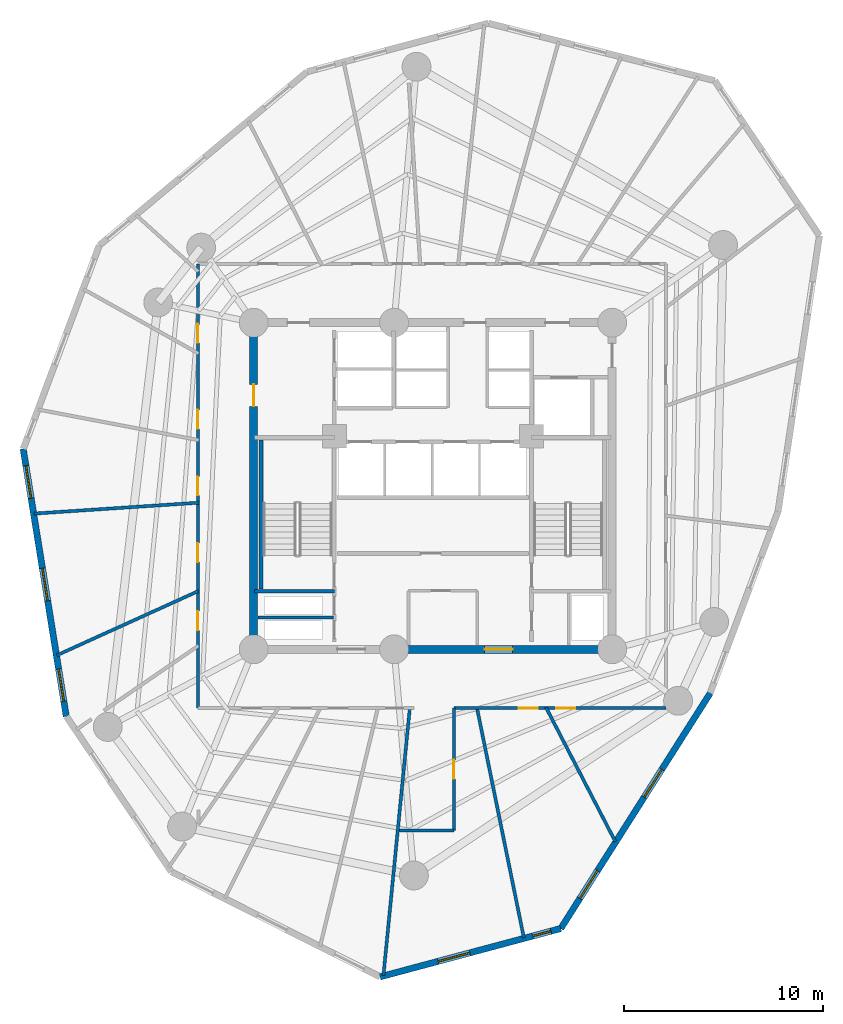
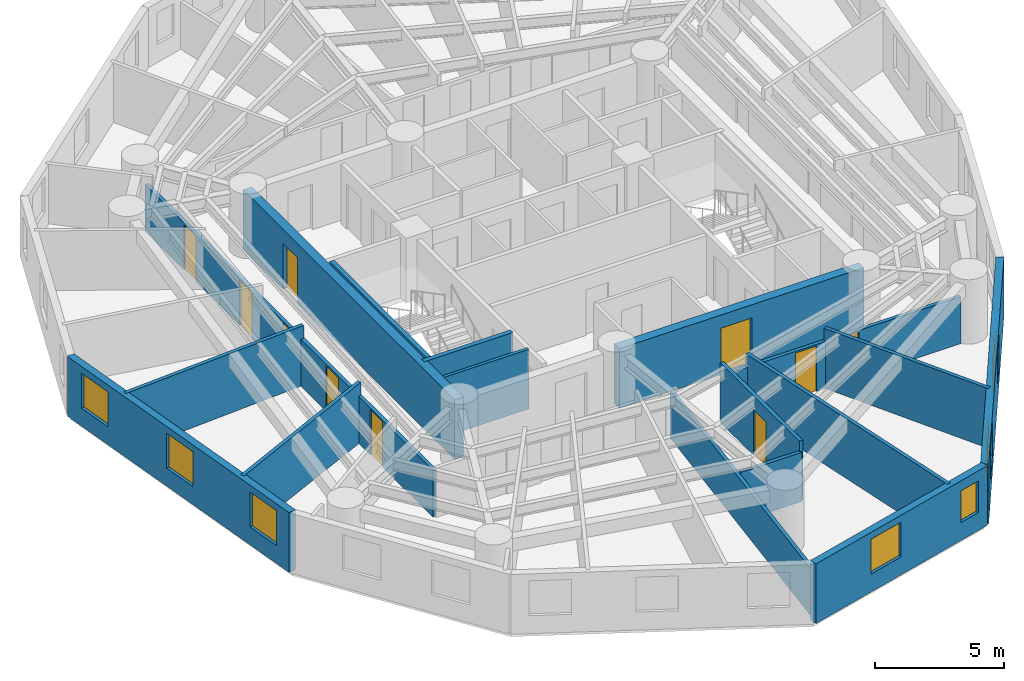
# One storey, part 3 of 7: 17 walls, 10 doors, 7 windows, 17 openings.
"""IFC4 building model written with IfcOpenShell, lengths in metres."""

from ifc_helpers import new_model, si_unit, direction, frame, frame_2d, origin, origin_with_axes, place, context, subcontext, project, spatial, rectangle, extrude, source, transform, mapped, material, layer, layer_set, type_object, element, fill, save


model = new_model("IFC4")

# Units and contexts
model_context = context("Model", 3, precision=1e-05, world=origin(), true_north=direction((0.0, 1.0)))
body_context = subcontext(model_context, "Body", "Model", "MODEL_VIEW")
ifc_project = project(units=[si_unit("LENGTHUNIT", "METRE"), si_unit("AREAUNIT", "SQUARE_METRE"), si_unit("VOLUMEUNIT", "CUBIC_METRE"), si_unit("PLANEANGLEUNIT", "RADIAN"), si_unit("MASSUNIT", "GRAM", prefix="KILO")], contexts=[model_context])

# Site, building, storey
site_placement = place(None, origin())
site = spatial("IfcSite", under=ifc_project, at=site_placement, CompositionType="ELEMENT")
building_placement = place(site_placement, origin())
building = spatial("IfcBuilding", under=site, at=building_placement, Name="Karkom Vertical University and Central Library", CompositionType="ELEMENT")
storey_placement = place(building_placement, frame((0.0, 0.0, 135.85009765625)))
storey = spatial("IfcBuildingStorey", under=building, at=storey_placement, Name="L38", CompositionType="ELEMENT", Elevation=135.85009765625)

# Wall, openings, windows
ifc_material_1 = material(Name="Brick-faced precast concrete C45/55", Category="masonry")
ifc_layer_1 = layer(ifc_material_1, 0.320068359375)
ifc_layer_set_1 = layer_set([ifc_layer_1], Name="Brick-faced precast concrete C45/55")
wall_type_1 = type_object("IfcWallType", Name="ENV-WL-BRK-320", PredefinedType="SOLIDWALL", material=ifc_layer_set_1)
wall_1_placement = place(storey_placement, frame((7.924072265625, 28.36572265625, 0.0), z_axis=(0.0, 0.0, 1.0), x_axis=(0.159012496048, -0.987276570218, 0.0)))
wall_1 = element("IfcWall", 1, at=wall_1_placement, inside=storey, type_object=wall_type_1, Name="Level 38 Brick-Faced Precast Facade Wall 02", PredefinedType="SOLIDWALL", context=body_context, shape_type="SweptSolid", body=[
    extrude(rectangle(XDim=13.61083984375, YDim=0.320068359375, at=frame_2d((6.805419921875, 0.0))), origin(), (0.0, 0.0, 1.0), 2.824951171875),
])
opening_1_placement = place(wall_1_placement, frame((0.855712890625, 0.0, 0.85009765625)))
opening_1 = element("IfcOpeningElement", 2, at=opening_1_placement, cuts=wall_1, Name="Opening WN-06", PredefinedType="OPENING", context=body_context, shape_type="SweptSolid", body=[
    extrude(rectangle(XDim=1.64990234375, YDim=1.64990234375, at=frame_2d((0.824951171875, 0.824951171875))), frame((0.0, 0.169921875, 0.0), z_axis=(0.0, -1.0, 0.0), x_axis=(1.0, 0.0, 0.0)), (0.0, 0.0, 1.0), 0.340087890625),
])
opening_2_placement = place(wall_1_placement, frame((6.071533203125, 0.0, 0.85009765625)))
opening_2 = element("IfcOpeningElement", 3, at=opening_2_placement, cuts=wall_1, Name="Opening WN-06", PredefinedType="OPENING", context=body_context, shape_type="SweptSolid", body=[
    extrude(rectangle(XDim=1.64990234375, YDim=1.64990234375, at=frame_2d((0.824951171875, 0.824951171875))), frame((0.0, 0.169921875, 0.0), z_axis=(0.0, -1.0, 0.0), x_axis=(1.0, 0.0, 0.0)), (0.0, 0.0, 1.0), 0.340087890625),
])
opening_3_placement = place(wall_1_placement, frame((11.1962890625, 0.0, 0.85009765625)))
opening_3 = element("IfcOpeningElement", 4, at=opening_3_placement, cuts=wall_1, Name="Opening WN-06", PredefinedType="OPENING", context=body_context, shape_type="SweptSolid", body=[
    extrude(rectangle(XDim=1.64990234375, YDim=1.64990234375, at=frame_2d((0.824951171875, 0.824951171875))), frame((0.0, 0.169921875, 0.0), z_axis=(0.0, -1.0, 0.0), x_axis=(1.0, 0.0, 0.0)), (0.0, 0.0, 1.0), 0.340087890625),
])
ifc_material_2 = material(Name="Aluminium thermal-break frame with solar-control IGU", Category="aluminium")
window_type_1 = type_object("IfcWindowType", Name="ENV-WIN-WN-06", PartitioningType="SINGLE_PANEL", PredefinedType="WINDOW", material=ifc_material_2)
shared_shape_1 = source(origin_with_axes(), body_context, "Body", "SweptSolid", [
    extrude(rectangle(XDim=1.64990234375, YDim=1.64990234375, at=frame_2d((0.824951171875, 0.824951171875))), frame((0.0, 0.030029296875, 0.0), z_axis=(0.0, -1.0, 0.0), x_axis=(1.0, 0.0, 0.0)), (0.0, 0.0, 1.0), 0.06005859375),
])
window_1_placement = place(opening_1_placement, origin())
window_1 = element("IfcWindow", 5, at=window_1_placement, inside=storey, type_object=window_type_1, Name="Level 38 Punched Window 2.1", OverallHeight=1.64990234375, OverallWidth=1.64990234375, PartitioningType="SINGLE_PANEL", PredefinedType="WINDOW", context=body_context, shape_type="MappedRepresentation", body=[
    mapped(shared_shape_1, transform((0.0, 0.0, 0.0), scale=1.0)),
])
fill(opening_1, window_1)
window_2_placement = place(opening_2_placement, origin())
window_2 = element("IfcWindow", 6, at=window_2_placement, inside=storey, type_object=window_type_1, Name="Level 38 Punched Window 2.2", OverallHeight=1.64990234375, OverallWidth=1.64990234375, PartitioningType="SINGLE_PANEL", PredefinedType="WINDOW", context=body_context, shape_type="MappedRepresentation", body=[
    mapped(shared_shape_1, transform((0.0, 0.0, 0.0), scale=1.0)),
])
fill(opening_2, window_2)
window_3_placement = place(opening_3_placement, origin())
window_3 = element("IfcWindow", 7, at=window_3_placement, inside=storey, type_object=window_type_1, Name="Level 38 Punched Window 2.3", OverallHeight=1.64990234375, OverallWidth=1.64990234375, PartitioningType="SINGLE_PANEL", PredefinedType="WINDOW", context=body_context, shape_type="MappedRepresentation", body=[
    mapped(shared_shape_1, transform((0.0, 0.0, 0.0), scale=1.0)),
])
fill(opening_3, window_3)

wall_2_placement = place(storey_placement, frame((25.845703125, 1.85009765625, 0.0), z_axis=(0.0, 0.0, 1.0), x_axis=(0.965995584308, 0.258558564154, 0.0)))
wall_2 = element("IfcWall", 8, at=wall_2_placement, inside=storey, type_object=wall_type_1, Name="Level 38 Brick-Faced Precast Facade Wall 05", PredefinedType="SOLIDWALL", context=body_context, shape_type="SweptSolid", body=[
    extrude(rectangle(XDim=9.395263671875, YDim=0.320068359375, at=frame_2d((4.69775390625, 0.0))), origin(), (0.0, 0.0, 1.0), 2.824951171875),
])
opening_4_placement = place(wall_2_placement, frame((3.0146484375, 0.0, 0.85009765625)))
opening_4 = element("IfcOpeningElement", 9, at=opening_4_placement, cuts=wall_2, Name="Opening WN-06", PredefinedType="OPENING", context=body_context, shape_type="SweptSolid", body=[
    extrude(rectangle(XDim=1.64990234375, YDim=1.64990234375, at=frame_2d((0.824951171875, 0.824951171875))), frame((0.0, 0.169921875, 0.0), z_axis=(0.0, -1.0, 0.0), x_axis=(1.0, 0.0, 0.0)), (0.0, 0.0, 1.0), 0.340087890625),
])
opening_5_placement = place(wall_2_placement, frame((7.9345703125, 0.0, 0.85009765625)))
opening_5 = element("IfcOpeningElement", 10, at=opening_5_placement, cuts=wall_2, Name="Opening WN-12", PredefinedType="OPENING", context=body_context, shape_type="SweptSolid", body=[
    extrude(rectangle(XDim=0.949951171875, YDim=1.5, at=frame_2d((0.47509765625, 0.75))), frame((0.0, 0.169921875, 0.0), z_axis=(0.0, -1.0, 0.0), x_axis=(1.0, 0.0, 0.0)), (0.0, 0.0, 1.0), 0.340087890625),
])
window_4_placement = place(opening_4_placement, origin())
window_4 = element("IfcWindow", 11, at=window_4_placement, inside=storey, type_object=window_type_1, Name="Level 38 Punched Window 5.1", OverallHeight=1.64990234375, OverallWidth=1.64990234375, PartitioningType="SINGLE_PANEL", PredefinedType="WINDOW", context=body_context, shape_type="MappedRepresentation", body=[
    mapped(shared_shape_1, transform((0.0, 0.0, 0.0), scale=1.0)),
])
fill(opening_4, window_4)
window_type_2 = type_object("IfcWindowType", Name="ENV-WIN-WN-12", PartitioningType="SINGLE_PANEL", PredefinedType="WINDOW", material=ifc_material_2)
shared_shape_2 = source(origin_with_axes(), body_context, "Body", "SweptSolid", [
    extrude(rectangle(XDim=0.949951171875, YDim=1.5, at=frame_2d((0.47509765625, 0.75))), frame((0.0, 0.030029296875, 0.0), z_axis=(0.0, -1.0, 0.0), x_axis=(1.0, 0.0, 0.0)), (0.0, 0.0, 1.0), 0.06005859375),
])
window_5_placement = place(opening_5_placement, origin())
window_5 = element("IfcWindow", 12, at=window_5_placement, inside=storey, type_object=window_type_2, Name="Level 38 Punched Window 5.2", OverallHeight=1.5, OverallWidth=0.949951171875, PartitioningType="SINGLE_PANEL", PredefinedType="WINDOW", context=body_context, shape_type="MappedRepresentation", body=[
    mapped(shared_shape_2, transform((0.0, 0.0, 0.0), scale=1.0)),
])
fill(opening_5, window_5)

wall_3_placement = place(storey_placement, frame((34.92138671875, 4.279296875, 0.0), z_axis=(0.0, 0.0, 1.0), x_axis=(0.536041661003, 0.84419152902, 0.0)))
wall_3 = element("IfcWall", 13, at=wall_3_placement, inside=storey, type_object=wall_type_1, Name="Level 38 Brick-Faced Precast Facade Wall 06", PredefinedType="SOLIDWALL", context=body_context, shape_type="SweptSolid", body=[
    extrude(rectangle(XDim=14.005126953125, YDim=0.320068359375, at=frame_2d((7.00244140625, 0.0))), origin(), (0.0, 0.0, 1.0), 2.824951171875),
])
opening_6_placement = place(wall_3_placement, frame((1.791015625, 0.0, 0.85009765625)))
opening_6 = element("IfcOpeningElement", 14, at=opening_6_placement, cuts=wall_3, Name="Opening WN-06", PredefinedType="OPENING", context=body_context, shape_type="SweptSolid", body=[
    extrude(rectangle(XDim=1.64990234375, YDim=1.64990234375, at=frame_2d((0.824951171875, 0.824951171875))), frame((0.0, 0.169921875, 0.0), z_axis=(0.0, -1.0, 0.0), x_axis=(1.0, 0.0, 0.0)), (0.0, 0.0, 1.0), 0.340087890625),
])
opening_7_placement = place(wall_3_placement, frame((7.810791015625, 0.0, 0.85009765625)))
opening_7 = element("IfcOpeningElement", 15, at=opening_7_placement, cuts=wall_3, Name="Opening WN-06", PredefinedType="OPENING", context=body_context, shape_type="SweptSolid", body=[
    extrude(rectangle(XDim=1.64990234375, YDim=1.64990234375, at=frame_2d((0.824951171875, 0.824951171875))), frame((0.0, 0.169921875, 0.0), z_axis=(0.0, -1.0, 0.0), x_axis=(1.0, 0.0, 0.0)), (0.0, 0.0, 1.0), 0.340087890625),
])
window_6_placement = place(opening_6_placement, origin())
window_6 = element("IfcWindow", 16, at=window_6_placement, inside=storey, type_object=window_type_1, Name="Level 38 Punched Window 6.1", OverallHeight=1.64990234375, OverallWidth=1.64990234375, PartitioningType="SINGLE_PANEL", PredefinedType="WINDOW", context=body_context, shape_type="MappedRepresentation", body=[
    mapped(shared_shape_1, transform((0.0, 0.0, 0.0), scale=1.0)),
])
fill(opening_6, window_6)
window_7_placement = place(opening_7_placement, origin())
window_7 = element("IfcWindow", 17, at=window_7_placement, inside=storey, type_object=window_type_1, Name="Level 38 Punched Window 6.2", OverallHeight=1.64990234375, OverallWidth=1.64990234375, PartitioningType="SINGLE_PANEL", PredefinedType="WINDOW", context=body_context, shape_type="MappedRepresentation", body=[
    mapped(shared_shape_1, transform((0.0, 0.0, 0.0), scale=1.0)),
])
fill(opening_7, window_7)

# Wall, openings, doors
ifc_material_3 = material(Name="Insulated metal-stud drywall 160mm", Category="gypsum")
ifc_layer_2 = layer(ifc_material_3, 0.159912109375)
ifc_layer_set_2 = layer_set([ifc_layer_2], Name="Insulated metal-stud drywall 160mm")
wall_type_2 = type_object("IfcWallType", Name="INT-WL-COR-160", PredefinedType="PARTITIONING", material=ifc_layer_set_2)
wall_4_placement = place(storey_placement, frame((16.699951171875, 15.35009765625, 0.0), z_axis=(0.0, 0.0, 1.0), x_axis=(0.0, 1.0, 0.0)))
wall_4 = element("IfcWall", 18, at=wall_4_placement, inside=storey, type_object=wall_type_2, Name="Level 38 Interior Partition Wall L38-CORW-CW-002", PredefinedType="PARTITIONING", context=body_context, shape_type="SweptSolid", body=[
    extrude(rectangle(XDim=22.2998046875, YDim=0.159912109375, at=frame_2d((11.14990234375, 0.0))), origin(), (0.0, 0.0, 1.0), 2.224853515625),
])
opening_8_placement = place(wall_4_placement, frame((7.330078125, 0.0, 0.0)))
opening_8 = element("IfcOpeningElement", 19, at=opening_8_placement, cuts=wall_4, Name="Opening D-RM1", PredefinedType="OPENING", context=body_context, shape_type="SweptSolid", body=[
    extrude(rectangle(XDim=0.949951171875, YDim=2.14990234375, at=frame_2d((0.47509765625, 1.074951171875))), frame((0.0, 0.08984375, 0.0), z_axis=(0.0, -1.0, 0.0), x_axis=(1.0, 0.0, 0.0)), (0.0, 0.0, 1.0), 0.179931640625),
])
opening_9_placement = place(wall_4_placement, frame((3.902587890625, 0.0, 0.0)))
opening_9 = element("IfcOpeningElement", 20, at=opening_9_placement, cuts=wall_4, Name="Opening FD-RM2", PredefinedType="OPENING", context=body_context, shape_type="SweptSolid", body=[
    extrude(rectangle(XDim=0.9599609375, YDim=2.14990234375, at=frame_2d((0.47998046875, 1.074951171875))), frame((0.0, 0.08984375, 0.0), z_axis=(0.0, -1.0, 0.0), x_axis=(1.0, 0.0, 0.0)), (0.0, 0.0, 1.0), 0.179931640625),
])
opening_10_placement = place(wall_4_placement, frame((18.3408203125, 0.0, 0.0)))
opening_10 = element("IfcOpeningElement", 21, at=opening_10_placement, cuts=wall_4, Name="Opening D-RM1", PredefinedType="OPENING", context=body_context, shape_type="SweptSolid", body=[
    extrude(rectangle(XDim=0.949951171875, YDim=2.14990234375, at=frame_2d((0.47509765625, 1.074951171875))), frame((0.0, 0.08984375, 0.0), z_axis=(0.0, -1.0, 0.0), x_axis=(1.0, 0.0, 0.0)), (0.0, 0.0, 1.0), 0.179931640625),
])
opening_11_placement = place(wall_4_placement, frame((14.02001953125, 0.0, 0.0)))
opening_11 = element("IfcOpeningElement", 22, at=opening_11_placement, cuts=wall_4, Name="Opening D-RM1", PredefinedType="OPENING", context=body_context, shape_type="SweptSolid", body=[
    extrude(rectangle(XDim=0.949951171875, YDim=2.14990234375, at=frame_2d((0.47509765625, 1.074951171875))), frame((0.0, 0.08984375, 0.0), z_axis=(0.0, -1.0, 0.0), x_axis=(1.0, 0.0, 0.0)), (0.0, 0.0, 1.0), 0.179931640625),
])
opening_12_placement = place(wall_4_placement, frame((10.675048828125, 0.0, 0.0)))
opening_12 = element("IfcOpeningElement", 23, at=opening_12_placement, cuts=wall_4, Name="Opening D-RM1", PredefinedType="OPENING", context=body_context, shape_type="SweptSolid", body=[
    extrude(rectangle(XDim=0.949951171875, YDim=2.14990234375, at=frame_2d((0.47509765625, 1.074951171875))), frame((0.0, 0.08984375, 0.0), z_axis=(0.0, -1.0, 0.0), x_axis=(1.0, 0.0, 0.0)), (0.0, 0.0, 1.0), 0.179931640625),
])
ifc_material_4 = material(Name="Fire-rated oak veneer door", Category="wood")
door_type_1 = type_object("IfcDoorType", Name="INT-DR-FRM2", OperationType="NOTDEFINED", PredefinedType="DOOR", material=ifc_material_4)
shared_shape_3 = source(origin_with_axes(), body_context, "Body", "SweptSolid", [
    extrude(rectangle(XDim=0.9599609375, YDim=2.14990234375, at=frame_2d((0.47998046875, 1.074951171875))), frame((0.0, 0.02490234375, 0.0), z_axis=(0.0, -1.0, 0.0), x_axis=(1.0, 0.0, 0.0)), (0.0, 0.0, 1.0), 0.050048828125),
])
door_1_placement = place(opening_9_placement, origin())
door_1 = element("IfcDoor", 24, at=door_1_placement, inside=storey, type_object=door_type_1, Name="Level 38 Room Entry Door 010", OperationType="SINGLE_SWING_RIGHT", OverallHeight=2.14990234375, OverallWidth=0.9599609375, PredefinedType="DOOR", context=body_context, shape_type="MappedRepresentation", body=[
    mapped(shared_shape_3, transform((0.0, 0.0, 0.0), scale=1.0)),
])
fill(opening_9, door_1)
ifc_material_5 = material(Name="Solid-core oak veneer door", Category="wood")
door_type_2 = type_object("IfcDoorType", Name="INT-DR-RM1", OperationType="NOTDEFINED", PredefinedType="DOOR", material=ifc_material_5)
shared_shape_4 = source(origin_with_axes(), body_context, "Body", "SweptSolid", [
    extrude(rectangle(XDim=0.949951171875, YDim=2.14990234375, at=frame_2d((0.47509765625, 1.074951171875))), frame((0.0, 0.02490234375, 0.0), z_axis=(0.0, -1.0, 0.0), x_axis=(1.0, 0.0, 0.0)), (0.0, 0.0, 1.0), 0.050048828125),
])
door_2_placement = place(opening_8_placement, origin())
door_2 = element("IfcDoor", 25, at=door_2_placement, inside=storey, type_object=door_type_2, Name="Level 38 Room Entry Door 000", OperationType="SINGLE_SWING_LEFT", OverallHeight=2.14990234375, OverallWidth=0.949951171875, PredefinedType="DOOR", context=body_context, shape_type="MappedRepresentation", body=[
    mapped(shared_shape_4, transform((0.0, 0.0, 0.0), scale=1.0)),
])
fill(opening_8, door_2)
door_3_placement = place(opening_10_placement, origin())
door_3 = element("IfcDoor", 26, at=door_3_placement, inside=storey, type_object=door_type_2, Name="Level 38 Room Entry Door 210", OperationType="SINGLE_SWING_RIGHT", OverallHeight=2.14990234375, OverallWidth=0.949951171875, PredefinedType="DOOR", context=body_context, shape_type="MappedRepresentation", body=[
    mapped(shared_shape_4, transform((0.0, 0.0, 0.0), scale=1.0)),
])
fill(opening_10, door_3)
door_4_placement = place(opening_11_placement, origin())
door_4 = element("IfcDoor", 27, at=door_4_placement, inside=storey, type_object=door_type_2, Name="Level 38 Room Entry Door 220", OperationType="SINGLE_SWING_LEFT", OverallHeight=2.14990234375, OverallWidth=0.949951171875, PredefinedType="DOOR", context=body_context, shape_type="MappedRepresentation", body=[
    mapped(shared_shape_4, transform((0.0, 0.0, 0.0), scale=1.0)),
])
fill(opening_11, door_4)
door_5_placement = place(opening_12_placement, origin())
door_5 = element("IfcDoor", 28, at=door_5_placement, inside=storey, type_object=door_type_2, Name="Level 38 Room Entry Door 230", OperationType="SINGLE_SWING_RIGHT", OverallHeight=2.14990234375, OverallWidth=0.949951171875, PredefinedType="DOOR", context=body_context, shape_type="MappedRepresentation", body=[
    mapped(shared_shape_4, transform((0.0, 0.0, 0.0), scale=1.0)),
])
fill(opening_12, door_5)

# Walls
wall_5_placement = place(storey_placement, frame((27.342529296875, 15.3798828125, 0.0), z_axis=(0.0, 0.0, 1.0), x_axis=(-0.098182344394, -0.995168441647, 0.0)))
element("IfcWall", 29, at=wall_5_placement, inside=storey, type_object=wall_type_2, Name="Level 38 Interior Partition Wall L38-PW-010", PredefinedType="PARTITIONING", context=body_context, shape_type="SweptSolid", body=[
    extrude(rectangle(XDim=13.519775390625, YDim=0.159912109375, at=frame_2d((6.759765625, 0.0))), origin(), (0.0, 0.0, 1.0), 2.224853515625),
])
wall_6_placement = place(storey_placement, frame((30.706787109375, 15.37939453125, 0.0), z_axis=(0.0, 0.0, 1.0), x_axis=(0.199840113041, -0.979828520314, 0.0)))
element("IfcWall", 30, at=wall_6_placement, inside=storey, type_object=wall_type_2, Name="Level 38 Interior Partition Wall L38-PW-011", PredefinedType="PARTITIONING", context=body_context, shape_type="SweptSolid", body=[
    extrude(rectangle(XDim=11.808837890625, YDim=0.159912109375, at=frame_2d((5.904296875, 0.0))), origin(), (0.0, 0.0, 1.0), 2.824951171875),
])

# Wall, openings, doors
wall_7_placement = place(storey_placement, frame((40.199951171875, 15.35009765625, 0.0), z_axis=(0.0, 0.0, 1.0), x_axis=(-1.0, 0.0, 0.0)))
wall_7 = element("IfcWall", 31, at=wall_7_placement, inside=storey, type_object=wall_type_2, Name="Level 38 Interior Partition Wall L38-CORW-CW-005", PredefinedType="PARTITIONING", context=body_context, shape_type="SweptSolid", body=[
    extrude(rectangle(XDim=10.64990234375, YDim=0.159912109375, at=frame_2d((5.324951171875, 0.0))), origin(), (0.0, 0.0, 1.0), 2.224853515625),
])
opening_13_placement = place(wall_7_placement, frame((6.447509765625, 0.0, 0.0)))
opening_13 = element("IfcOpeningElement", 32, at=opening_13_placement, cuts=wall_7, Name="Opening D-RM1", PredefinedType="OPENING", context=body_context, shape_type="SweptSolid", body=[
    extrude(rectangle(XDim=0.949951171875, YDim=2.14990234375, at=frame_2d((0.47509765625, 1.074951171875))), frame((0.0, 0.08984375, 0.0), z_axis=(0.0, -1.0, 0.0), x_axis=(1.0, 0.0, 0.0)), (0.0, 0.0, 1.0), 0.179931640625),
])
opening_14_placement = place(wall_7_placement, frame((4.56005859375, 0.0, 0.0)))
opening_14 = element("IfcOpeningElement", 33, at=opening_14_placement, cuts=wall_7, Name="Opening D-RM1", PredefinedType="OPENING", context=body_context, shape_type="SweptSolid", body=[
    extrude(rectangle(XDim=0.949951171875, YDim=2.14990234375, at=frame_2d((0.47509765625, 1.074951171875))), frame((0.0, 0.08984375, 0.0), z_axis=(0.0, -1.0, 0.0), x_axis=(1.0, 0.0, 0.0)), (0.0, 0.0, 1.0), 0.179931640625),
])
door_6_placement = place(opening_13_placement, origin())
door_6 = element("IfcDoor", 34, at=door_6_placement, inside=storey, type_object=door_type_2, Name="Level 38 Room Entry Door 070", OperationType="SINGLE_SWING_RIGHT", OverallHeight=2.14990234375, OverallWidth=0.949951171875, PredefinedType="DOOR", context=body_context, shape_type="MappedRepresentation", body=[
    mapped(shared_shape_4, transform((0.0, 0.0, 0.0), scale=1.0)),
])
fill(opening_13, door_6)
door_7_placement = place(opening_14_placement, origin())
door_7 = element("IfcDoor", 35, at=door_7_placement, inside=storey, type_object=door_type_2, Name="Level 38 Room Entry Door 080", OperationType="SINGLE_SWING_LEFT", OverallHeight=2.14990234375, OverallWidth=0.949951171875, PredefinedType="DOOR", context=body_context, shape_type="MappedRepresentation", body=[
    mapped(shared_shape_4, transform((0.0, 0.0, 0.0), scale=1.0)),
])
fill(opening_14, door_7)

# Walls
wall_8_placement = place(storey_placement, frame((8.473388671875, 25.113525390625, 0.0), z_axis=(0.0, 0.0, 1.0), x_axis=(0.997813863327, 0.066087019548, 0.0)))
element("IfcWall", 36, at=wall_8_placement, inside=storey, type_object=wall_type_2, Name="Level 38 Interior Partition Wall L38-PW-002", PredefinedType="PARTITIONING", context=body_context, shape_type="SweptSolid", body=[
    extrude(rectangle(XDim=8.289794921875, YDim=0.159912109375, at=frame_2d((4.14501953125, 0.0))), origin(), (0.0, 0.0, 1.0), 2.824951171875),
])
wall_9_placement = place(storey_placement, frame((16.727294921875, 21.22607421875, 0.0), z_axis=(0.0, 0.0, 1.0), x_axis=(-0.910695129443, -0.413079146422, 0.0)))
element("IfcWall", 37, at=wall_9_placement, inside=storey, type_object=wall_type_2, Name="Level 38 Interior Partition Wall L38-PW-001", PredefinedType="PARTITIONING", context=body_context, shape_type="SweptSolid", body=[
    extrude(rectangle(XDim=7.80322265625, YDim=0.159912109375, at=frame_2d((3.901611328125, 0.0))), origin(), (0.0, 0.0, 1.0), 2.824951171875),
])
wall_10_placement = place(storey_placement, frame((34.1796875, 15.376708984375, 0.0), z_axis=(0.0, 0.0, 1.0), x_axis=(0.459051011209, -0.888409910519, 0.0)))
element("IfcWall", 38, at=wall_10_placement, inside=storey, type_object=wall_type_2, Name="Level 38 Interior Partition Wall L38-PW-012", PredefinedType="PARTITIONING", context=body_context, shape_type="SweptSolid", body=[
    extrude(rectangle(XDim=7.57275390625, YDim=0.159912109375, at=frame_2d((3.786376953125, 0.0))), origin(), (0.0, 0.0, 1.0), 2.824951171875),
])

# Wall, opening, door
wall_11_placement = place(storey_placement, frame((29.550048828125, 15.35009765625, 0.0), z_axis=(0.0, 0.0, 1.0), x_axis=(0.0, -1.0, 0.0)))
wall_11 = element("IfcWall", 39, at=wall_11_placement, inside=storey, type_object=wall_type_2, Name="Level 38 Interior Partition Wall L38-CORW-CW-006", PredefinedType="PARTITIONING", context=body_context, shape_type="SweptSolid", body=[
    extrude(rectangle(XDim=6.150146484375, YDim=0.159912109375, at=frame_2d((3.0751953125, 0.0))), origin(), (0.0, 0.0, 1.0), 2.824951171875),
])
opening_15_placement = place(wall_11_placement, frame((2.60009765625, 0.0, 0.0)))
opening_15 = element("IfcOpeningElement", 40, at=opening_15_placement, cuts=wall_11, Name="Opening D-RM1", PredefinedType="OPENING", context=body_context, shape_type="SweptSolid", body=[
    extrude(rectangle(XDim=0.949951171875, YDim=2.14990234375, at=frame_2d((0.47509765625, 1.074951171875))), frame((0.0, 0.08984375, 0.0), z_axis=(0.0, -1.0, 0.0), x_axis=(1.0, 0.0, 0.0)), (0.0, 0.0, 1.0), 0.179931640625),
])
door_8_placement = place(opening_15_placement, origin())
door_8 = element("IfcDoor", 41, at=door_8_placement, inside=storey, type_object=door_type_2, Name="Level 38 Room Entry Door 060", OperationType="SINGLE_SWING_LEFT", OverallHeight=2.14990234375, OverallWidth=0.949951171875, PredefinedType="DOOR", context=body_context, shape_type="MappedRepresentation", body=[
    mapped(shared_shape_4, transform((0.0, 0.0, 0.0), scale=1.0)),
])
fill(opening_15, door_8)

# Walls
wall_12_placement = place(storey_placement, frame((29.550048828125, 9.199951171875, 0.0), z_axis=(0.0, 0.0, 1.0), x_axis=(-1.0, 0.0, 0.0)))
element("IfcWall", 42, at=wall_12_placement, inside=storey, type_object=wall_type_2, Name="Level 38 Interior Partition Wall L38-CORW-CW-007", PredefinedType="PARTITIONING", context=body_context, shape_type="SweptSolid", body=[
    extrude(rectangle(XDim=2.729736328125, YDim=0.159912109375, at=frame_2d((1.36474609375, 0.0))), origin(), (0.0, 0.0, 1.0), 2.324951171875),
])
ifc_material_6 = material(Name="Metal-stud gypsum partition 140mm", Category="gypsum")
ifc_layer_3 = layer(ifc_material_6, 0.139892578125)
ifc_layer_set_3 = layer_set([ifc_layer_3], Name="Metal-stud gypsum partition 140mm")
wall_type_3 = type_object("IfcWallType", Name="INT-WL-SUB-140H", PredefinedType="PARTITIONING", material=ifc_layer_set_3)
wall_13_placement = place(storey_placement, frame((19.70703125, 19.889892578125, 0.0), z_axis=(0.0, 0.0, 1.0), x_axis=(1.0, 0.0, 0.0)))
element("IfcWall", 43, at=wall_13_placement, inside=storey, type_object=wall_type_3, Name="Level 38 Interior Partition Wall L38-CW-RIS-W", PredefinedType="PARTITIONING", context=body_context, shape_type="SweptSolid", body=[
    extrude(rectangle(XDim=3.789794921875, YDim=0.139892578125, at=frame_2d((1.89501953125, 0.0))), origin(), (0.0, 0.0, 1.0), 2.824951171875),
])

# Wall, opening, door
ifc_material_7 = material(Name="Concrete C50/60", Category="concrete")
ifc_layer_4 = layer(ifc_material_7, 0.39990234375)
ifc_layer_set_4 = layer_set([ifc_layer_4], Name="Concrete C50/60")
wall_type_4 = type_object("IfcWallType", Name="STR-WL-CW-400", PredefinedType="SHEAR", material=ifc_layer_set_4)
wall_14_placement = place(storey_placement, frame((26.550048828125, 18.300048828125, 0.0), z_axis=(0.0, 0.0, 1.0), x_axis=(1.0, 0.0, 0.0)))
wall_14 = element("IfcWall", 44, at=wall_14_placement, inside=storey, type_object=wall_type_4, Name="Level 38 Central Core Shear Wall SW2", PredefinedType="SHEAR", context=body_context, shape_type="SweptSolid", body=[
    extrude(rectangle(XDim=10.949951171875, YDim=0.39990234375, at=frame_2d((5.47509765625, 0.0))), origin(), (0.0, 0.0, 1.0), 2.824951171875),
])
opening_16_placement = place(wall_14_placement, frame((4.550048828125, 0.0, 0.0)))
opening_16 = element("IfcOpeningElement", 45, at=opening_16_placement, cuts=wall_14, Name="Opening FD-CLB", PredefinedType="OPENING", context=body_context, shape_type="SweptSolid", body=[
    extrude(rectangle(XDim=1.39990234375, YDim=2.199951171875, at=frame_2d((0.699951171875, 1.10009765625))), frame((0.0, 0.2099609375, 0.0), z_axis=(0.0, -1.0, 0.0), x_axis=(1.0, 0.0, 0.0)), (0.0, 0.0, 1.0), 0.419921875),
])
ifc_material_8 = material(Name="Painted steel fire door", Category="steel")
door_type_3 = type_object("IfcDoorType", Name="INT-DR-CLB", OperationType="DOUBLE_DOOR_SINGLE_SWING", PredefinedType="DOOR", material=ifc_material_8)
shared_shape_5 = source(origin_with_axes(), body_context, "Body", "SweptSolid", [
    extrude(rectangle(XDim=1.39990234375, YDim=2.199951171875, at=frame_2d((0.699951171875, 1.10009765625))), frame((0.0, 0.02490234375, 0.0), z_axis=(0.0, -1.0, 0.0), x_axis=(1.0, 0.0, 0.0)), (0.0, 0.0, 1.0), 0.050048828125),
])
door_9_placement = place(opening_16_placement, origin())
door_9 = element("IfcDoor", 46, at=door_9_placement, inside=storey, type_object=door_type_3, Name="Level 38 South Core Lobby East Exit Door", OperationType="DOUBLE_DOOR_SINGLE_SWING", OverallHeight=2.199951171875, OverallWidth=1.39990234375, PredefinedType="DOOR", context=body_context, shape_type="MappedRepresentation", body=[
    mapped(shared_shape_5, transform((0.0, 0.0, 0.0), scale=1.0)),
])
fill(opening_16, door_9)

wall_15_placement = place(storey_placement, frame((19.5, 34.699951171875, 0.0), z_axis=(0.0, 0.0, 1.0), x_axis=(0.0, -1.0, 0.0)))
wall_15 = element("IfcWall", 47, at=wall_15_placement, inside=storey, type_object=wall_type_4, Name="Level 38 Central Core Shear Wall WW", PredefinedType="SHEAR", context=body_context, shape_type="SweptSolid", body=[
    extrude(rectangle(XDim=16.39990234375, YDim=0.39990234375, at=frame_2d((8.199951171875, 0.0))), origin(), (0.0, 0.0, 1.0), 2.824951171875),
])
opening_17_placement = place(wall_15_placement, frame((3.10009765625, 0.0, 0.0)))
opening_17 = element("IfcOpeningElement", 48, at=opening_17_placement, cuts=wall_15, Name="Opening FD-FFL", PredefinedType="OPENING", context=body_context, shape_type="SweptSolid", body=[
    extrude(rectangle(XDim=1.10009765625, YDim=2.14990234375, at=frame_2d((0.550048828125, 1.074951171875))), frame((0.0, 0.2099609375, 0.0), z_axis=(0.0, -1.0, 0.0), x_axis=(1.0, 0.0, 0.0)), (0.0, 0.0, 1.0), 0.419921875),
])
ifc_material_9 = material(Name="Painted steel smoke-seal fire door", Category="steel")
door_type_4 = type_object("IfcDoorType", Name="INT-DR-FFL", OperationType="NOTDEFINED", PredefinedType="DOOR", material=ifc_material_9)
shared_shape_6 = source(origin_with_axes(), body_context, "Body", "SweptSolid", [
    extrude(rectangle(XDim=1.10009765625, YDim=2.14990234375, at=frame_2d((0.550048828125, 1.074951171875))), frame((0.0, 0.02490234375, 0.0), z_axis=(0.0, -1.0, 0.0), x_axis=(1.0, 0.0, 0.0)), (0.0, 0.0, 1.0), 0.050048828125),
])
door_10_placement = place(opening_17_placement, origin())
door_10 = element("IfcDoor", 49, at=door_10_placement, inside=storey, type_object=door_type_4, Name="Level 38 West Corridor Firefighting Lobby Door", OperationType="SINGLE_SWING_RIGHT", OverallHeight=2.14990234375, OverallWidth=1.10009765625, PredefinedType="DOOR", context=body_context, shape_type="MappedRepresentation", body=[
    mapped(shared_shape_6, transform((0.0, 0.0, 0.0), scale=1.0)),
])
fill(opening_17, door_10)

# Walls
ifc_material_10 = material(Name="Concrete C45/55", Category="concrete")
ifc_layer_5 = layer(ifc_material_10, 0.199951171875)
ifc_layer_set_5 = layer_set([ifc_layer_5], Name="Concrete C45/55")
wall_type_5 = type_object("IfcWallType", Name="STR-WL-ST-200", PredefinedType="SHEAR", material=ifc_layer_set_5)
wall_16_placement = place(storey_placement, frame((19.875, 21.320068359375, 0.0), z_axis=(0.0, 0.0, 1.0), x_axis=(0.0, 1.0, 0.0)))
element("IfcWall", 50, at=wall_16_placement, inside=storey, type_object=wall_type_5, Name="Level 38 Core Shaft Wall L38-CW-ST1-W", PredefinedType="SHEAR", context=body_context, shape_type="SweptSolid", body=[
    extrude(rectangle(XDim=7.5, YDim=0.199951171875, at=frame_2d((3.75, 0.0))), origin(), (0.0, 0.0, 1.0), 2.824951171875),
])
wall_17_placement = place(storey_placement, frame((19.550048828125, 21.215087890625, 0.0), z_axis=(0.0, 0.0, 1.0), x_axis=(1.0, 0.0, 0.0)))
element("IfcWall", 51, at=wall_17_placement, inside=storey, type_object=wall_type_5, Name="Level 38 Core Shaft Wall L38-CW-ST1-S", PredefinedType="SHEAR", context=body_context, shape_type="SweptSolid", body=[
    extrude(rectangle(XDim=3.994873046875, YDim=0.199951171875, at=frame_2d((1.99755859375, 0.0))), origin(), (0.0, 0.0, 1.0), 2.824951171875),
])

save(model, "model.ifc")
